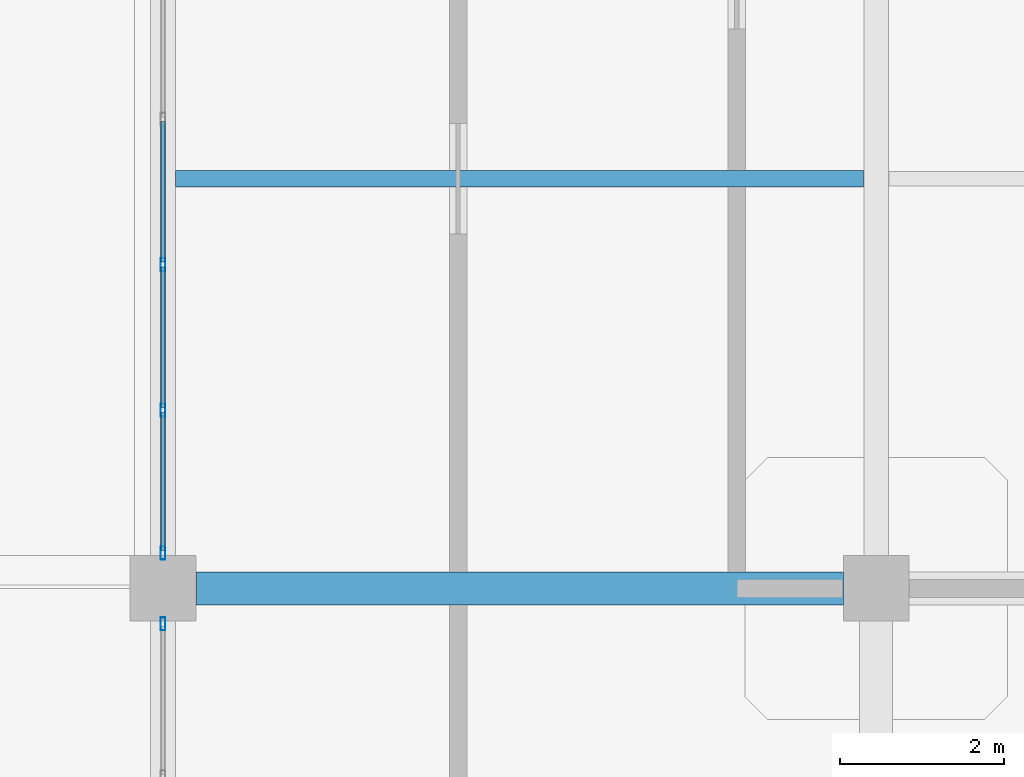
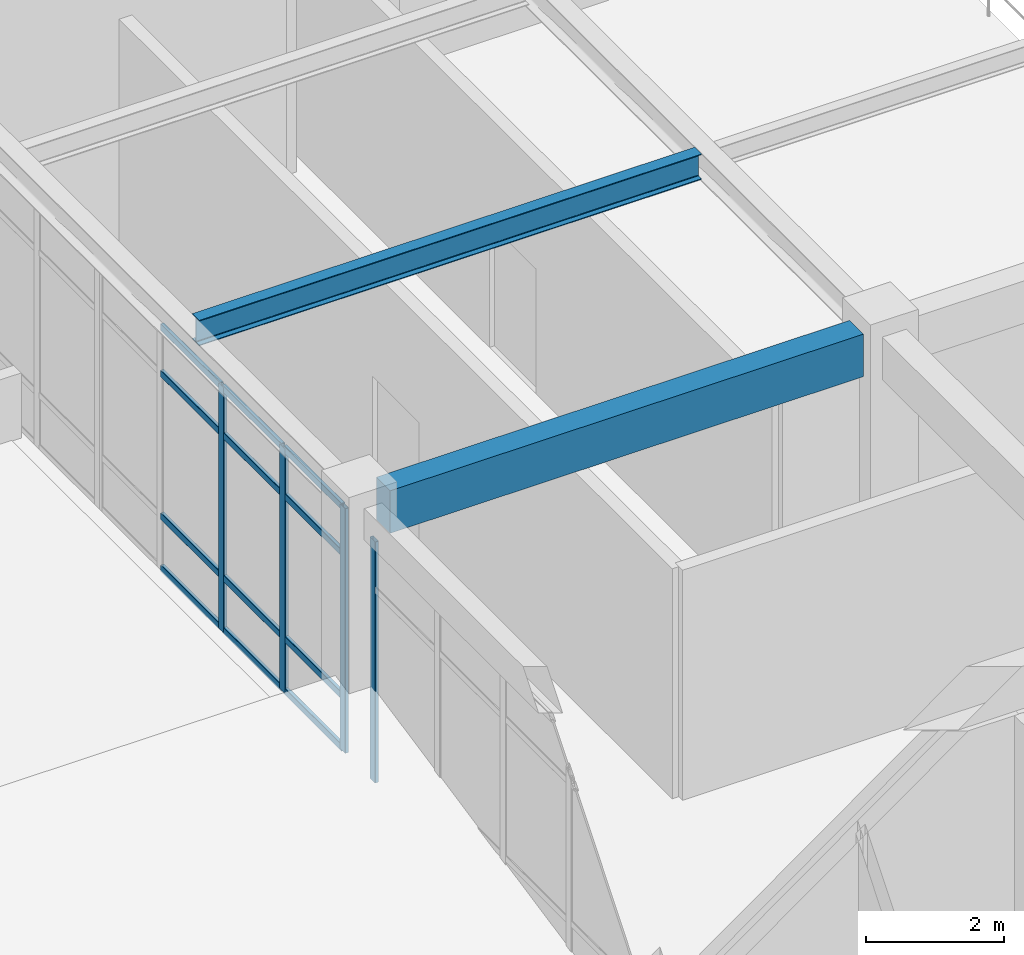
# One storey, part 23 of 124: 16 members, 2 beams, 2 elements without a shape of their own.
"""IFC4 building model written with IfcOpenShell, lengths in metres."""

from ifc_helpers import new_model, si_unit, derived_unit, direction, frame, origin, origin_2d, place, context, subcontext, project, spatial, rectangle, hollow_rectangle, i_section, extrude, material, layer, layer_set, material_profile, profile_set, type_object, element, aggregate, save


model = new_model("IFC4")

# Units and contexts
model_context = context("Model", 3, precision=1e-05, world=origin(), true_north=direction((0.0, 1.0)))
body_context = subcontext(model_context, "Body", "Model", "MODEL_VIEW")
ifc_project = project(units=[si_unit("LENGTHUNIT", "METRE"), si_unit("AREAUNIT", "SQUARE_METRE"), si_unit("VOLUMEUNIT", "CUBIC_METRE"), si_unit("PLANEANGLEUNIT", "RADIAN"), si_unit("MASSUNIT", "GRAM", prefix="KILO"), derived_unit("THERMALTRANSMITTANCEUNIT", [(si_unit("MASSUNIT", "GRAM", prefix="KILO"), 1), (si_unit("TIMEUNIT", "SECOND"), -3), (si_unit("THERMODYNAMICTEMPERATUREUNIT", "KELVIN"), -1)])], contexts=[model_context])

# Site, building, storey
site_placement = place(None, origin())
site = spatial("IfcSite", under=ifc_project, at=site_placement, CompositionType="ELEMENT")
building_placement = place(site_placement, origin())
building = spatial("IfcBuilding", under=site, at=building_placement, Name="Qinzheling Arcade Emporium", CompositionType="ELEMENT")
storey_placement = place(building_placement, frame((0.0, 0.0, 16.5)))
storey = spatial("IfcBuildingStorey", under=building, at=storey_placement, Name="L04", CompositionType="ELEMENT", Elevation=16.5)

# Curtain wall, member
ifc_material_1 = material(Name="Anodised aluminium and solar-control double glazing", Category="aluminium")
ifc_layer = layer(ifc_material_1, 0.159912109375, Name="Anodised aluminium and solar-control double glazing", Category="aluminium")
ifc_layer_set = layer_set([ifc_layer], Name="Anodised aluminium and solar-control double glazing")
curtain_wall_type = type_object("IfcCurtainWallType", Name="Atrium Clerestory Curtain Wall", PredefinedType="NOTDEFINED", material=ifc_layer_set)
curtain_wall_1_placement = place(storey_placement, origin())
curtain_wall_1 = element("IfcCurtainWall", 1, at=curtain_wall_1_placement, inside=storey, type_object=curtain_wall_type, Name="Curtain Wall CW-L04-240", PredefinedType="NOTDEFINED")
ifc_material_2 = material(Name="Anodised aluminium 6063-T6", Category="aluminium")
ifc_material_profile_1 = material_profile(ifc_material_2, hollow_rectangle(XDim=0.06005859375, YDim=0.159912109375, WallThickness=0.00390625, InnerFilletRadius=0.00390625, OuterFilletRadius=0.008056640625, at=origin_2d()), Name="RHS 160x60x4", Category="aluminium")
ifc_profile_set_1 = profile_set([ifc_material_profile_1], Name="Anodised aluminium 6063-T6")
member_type_1 = type_object("IfcMemberType", Name="Curtain Wall Mullion RHS160x60", PredefinedType="MULLION", material=ifc_profile_set_1)
member_1_placement = place(storey_placement, frame((34.800048828125, 49.968017578125, 0.0), z_axis=(0.0, 0.0, 1.0), x_axis=(-1.0, 0.0, 0.0)))
member_1 = element("IfcMember", 2, at=member_1_placement, type_object=member_type_1, Name="CW03 mullion 5", PredefinedType="MULLION", context=body_context, shape_type="SweptSolid", body=[
    extrude(hollow_rectangle(XDim=0.06005859375, YDim=0.159912109375, WallThickness=0.00390625, InnerFilletRadius=0.00390625, OuterFilletRadius=0.008056640625, at=origin_2d()), origin(), (0.0, 0.0, 1.0), 4.2548828125),
])
aggregate(curtain_wall_1, [member_1])

# Curtain wall, members
curtain_wall_2_placement = place(storey_placement, origin())
curtain_wall_2 = element("IfcCurtainWall", 3, at=curtain_wall_2_placement, inside=storey, type_object=curtain_wall_type, Name="Curtain Wall CW-L04-241", PredefinedType="NOTDEFINED")
member_2_placement = place(storey_placement, frame((34.800048828125, 50.83203125, 0.0), z_axis=(0.0, 0.0, 1.0), x_axis=(-1.0, 0.0, 0.0)))
member_2 = element("IfcMember", 4, at=member_2_placement, type_object=member_type_1, Name="CW03 mullion 1", PredefinedType="MULLION", context=body_context, shape_type="SweptSolid", body=[
    extrude(hollow_rectangle(XDim=0.06005859375, YDim=0.159912109375, WallThickness=0.00390625, InnerFilletRadius=0.00390625, OuterFilletRadius=0.008056640625, at=origin_2d()), origin(), (0.0, 0.0, 1.0), 4.31689453125),
])
member_3_placement = place(storey_placement, frame((34.800048828125, 52.575927734375, 0.0), z_axis=(0.0, 0.0, 1.0), x_axis=(-1.0, 0.0, 0.0)))
member_3 = element("IfcMember", 5, at=member_3_placement, type_object=member_type_1, Name="CW03 mullion 2", PredefinedType="MULLION", context=body_context, shape_type="SweptSolid", body=[
    extrude(hollow_rectangle(XDim=0.06005859375, YDim=0.159912109375, WallThickness=0.00390625, InnerFilletRadius=0.00390625, OuterFilletRadius=0.008056640625, at=origin_2d()), origin(), (0.0, 0.0, 1.0), 4.31689453125),
])
member_4_placement = place(storey_placement, frame((34.800048828125, 54.35009765625, 0.0), z_axis=(0.0, 0.0, 1.0), x_axis=(-1.0, 0.0, 0.0)))
member_4 = element("IfcMember", 6, at=member_4_placement, type_object=member_type_1, Name="CW03 mullion 3", PredefinedType="MULLION", context=body_context, shape_type="SweptSolid", body=[
    extrude(hollow_rectangle(XDim=0.06005859375, YDim=0.159912109375, WallThickness=0.00390625, InnerFilletRadius=0.00390625, OuterFilletRadius=0.008056640625, at=origin_2d()), origin(), (0.0, 0.0, 1.0), 4.31689453125),
])
ifc_material_profile_2 = material_profile(ifc_material_2, hollow_rectangle(XDim=0.06005859375, YDim=0.1201171875, WallThickness=0.00390625, InnerFilletRadius=0.00390625, OuterFilletRadius=0.008056640625, at=origin_2d()), Name="RHS 120x60x4", Category="aluminium")
ifc_profile_set_2 = profile_set([ifc_material_profile_2], Name="Anodised aluminium 6063-T6")
member_type_2 = type_object("IfcMemberType", Name="Curtain Wall Transom RHS120x60", PredefinedType="USERDEFINED", material=ifc_profile_set_2)
member_5_placement = place(storey_placement, frame((34.800048828125, 50.862060546875, 0.030029296875), z_axis=(0.0, 1.0, 0.0), x_axis=(-1.0, 0.0, 0.0)))
member_5 = element("IfcMember", 7, at=member_5_placement, type_object=member_type_2, Name="CW03 transom 1.1", ObjectType="TRANSOM", PredefinedType="USERDEFINED", context=body_context, shape_type="SweptSolid", body=[
    extrude(hollow_rectangle(XDim=0.06005859375, YDim=0.1201171875, WallThickness=0.00390625, InnerFilletRadius=0.00390625, OuterFilletRadius=0.008056640625, at=origin_2d()), origin(), (0.0, 0.0, 1.0), 1.683837890625),
])
member_6_placement = place(storey_placement, frame((34.800048828125, 50.862060546875, 0.949951171875), z_axis=(0.0, 1.0, 0.0), x_axis=(-1.0, 0.0, 0.0)))
member_6 = element("IfcMember", 8, at=member_6_placement, type_object=member_type_2, Name="CW03 transom 1.2", ObjectType="TRANSOM", PredefinedType="USERDEFINED", context=body_context, shape_type="SweptSolid", body=[
    extrude(hollow_rectangle(XDim=0.06005859375, YDim=0.1201171875, WallThickness=0.00390625, InnerFilletRadius=0.00390625, OuterFilletRadius=0.008056640625, at=origin_2d()), origin(), (0.0, 0.0, 1.0), 1.683837890625),
])
member_7_placement = place(storey_placement, frame((34.800048828125, 50.862060546875, 3.467041015625), z_axis=(0.0, 1.0, 0.0), x_axis=(-1.0, 0.0, 0.0)))
member_7 = element("IfcMember", 9, at=member_7_placement, type_object=member_type_2, Name="CW03 transom 1.3", ObjectType="TRANSOM", PredefinedType="USERDEFINED", context=body_context, shape_type="SweptSolid", body=[
    extrude(hollow_rectangle(XDim=0.06005859375, YDim=0.1201171875, WallThickness=0.00390625, InnerFilletRadius=0.00390625, OuterFilletRadius=0.008056640625, at=origin_2d()), origin(), (0.0, 0.0, 1.0), 1.683837890625),
])
member_8_placement = place(storey_placement, frame((34.800048828125, 50.862060546875, 4.287109375), z_axis=(0.0, 1.0, 0.0), x_axis=(-1.0, 0.0, 0.0)))
member_8 = element("IfcMember", 10, at=member_8_placement, type_object=member_type_2, Name="CW03 transom 1.4", ObjectType="TRANSOM", PredefinedType="USERDEFINED", context=body_context, shape_type="SweptSolid", body=[
    extrude(hollow_rectangle(XDim=0.06005859375, YDim=0.1201171875, WallThickness=0.00390625, InnerFilletRadius=0.00390625, OuterFilletRadius=0.008056640625, at=origin_2d()), origin(), (0.0, 0.0, 1.0), 1.683837890625),
])
member_9_placement = place(storey_placement, frame((34.800048828125, 52.60595703125, 0.030029296875), z_axis=(0.0, 1.0, 0.0), x_axis=(-1.0, 0.0, 0.0)))
member_9 = element("IfcMember", 11, at=member_9_placement, type_object=member_type_2, Name="CW03 transom 2.1", ObjectType="TRANSOM", PredefinedType="USERDEFINED", context=body_context, shape_type="SweptSolid", body=[
    extrude(hollow_rectangle(XDim=0.06005859375, YDim=0.1201171875, WallThickness=0.00390625, InnerFilletRadius=0.00390625, OuterFilletRadius=0.008056640625, at=origin_2d()), origin(), (0.0, 0.0, 1.0), 1.714111328125),
])
member_10_placement = place(storey_placement, frame((34.800048828125, 52.60595703125, 0.949951171875), z_axis=(0.0, 1.0, 0.0), x_axis=(-1.0, 0.0, 0.0)))
member_10 = element("IfcMember", 12, at=member_10_placement, type_object=member_type_2, Name="CW03 transom 2.2", ObjectType="TRANSOM", PredefinedType="USERDEFINED", context=body_context, shape_type="SweptSolid", body=[
    extrude(hollow_rectangle(XDim=0.06005859375, YDim=0.1201171875, WallThickness=0.00390625, InnerFilletRadius=0.00390625, OuterFilletRadius=0.008056640625, at=origin_2d()), origin(), (0.0, 0.0, 1.0), 1.714111328125),
])
member_11_placement = place(storey_placement, frame((34.800048828125, 52.60595703125, 3.467041015625), z_axis=(0.0, 1.0, 0.0), x_axis=(-1.0, 0.0, 0.0)))
member_11 = element("IfcMember", 13, at=member_11_placement, type_object=member_type_2, Name="CW03 transom 2.3", ObjectType="TRANSOM", PredefinedType="USERDEFINED", context=body_context, shape_type="SweptSolid", body=[
    extrude(hollow_rectangle(XDim=0.06005859375, YDim=0.1201171875, WallThickness=0.00390625, InnerFilletRadius=0.00390625, OuterFilletRadius=0.008056640625, at=origin_2d()), origin(), (0.0, 0.0, 1.0), 1.714111328125),
])
member_12_placement = place(storey_placement, frame((34.800048828125, 52.60595703125, 4.287109375), z_axis=(0.0, 1.0, 0.0), x_axis=(-1.0, 0.0, 0.0)))
member_12 = element("IfcMember", 14, at=member_12_placement, type_object=member_type_2, Name="CW03 transom 2.4", ObjectType="TRANSOM", PredefinedType="USERDEFINED", context=body_context, shape_type="SweptSolid", body=[
    extrude(hollow_rectangle(XDim=0.06005859375, YDim=0.1201171875, WallThickness=0.00390625, InnerFilletRadius=0.00390625, OuterFilletRadius=0.008056640625, at=origin_2d()), origin(), (0.0, 0.0, 1.0), 1.714111328125),
])
member_13_placement = place(storey_placement, frame((34.800048828125, 54.3798828125, 0.030029296875), z_axis=(0.0, 1.0, 0.0), x_axis=(-1.0, 0.0, 0.0)))
member_13 = element("IfcMember", 15, at=member_13_placement, type_object=member_type_2, Name="CW03 transom 3.1", ObjectType="TRANSOM", PredefinedType="USERDEFINED", context=body_context, shape_type="SweptSolid", body=[
    extrude(hollow_rectangle(XDim=0.06005859375, YDim=0.1201171875, WallThickness=0.00390625, InnerFilletRadius=0.00390625, OuterFilletRadius=0.008056640625, at=origin_2d()), origin(), (0.0, 0.0, 1.0), 1.714111328125),
])
member_14_placement = place(storey_placement, frame((34.800048828125, 54.3798828125, 0.949951171875), z_axis=(0.0, 1.0, 0.0), x_axis=(-1.0, 0.0, 0.0)))
member_14 = element("IfcMember", 16, at=member_14_placement, type_object=member_type_2, Name="CW03 transom 3.2", ObjectType="TRANSOM", PredefinedType="USERDEFINED", context=body_context, shape_type="SweptSolid", body=[
    extrude(hollow_rectangle(XDim=0.06005859375, YDim=0.1201171875, WallThickness=0.00390625, InnerFilletRadius=0.00390625, OuterFilletRadius=0.008056640625, at=origin_2d()), origin(), (0.0, 0.0, 1.0), 1.714111328125),
])
member_15_placement = place(storey_placement, frame((34.800048828125, 54.3798828125, 3.467041015625), z_axis=(0.0, 1.0, 0.0), x_axis=(-1.0, 0.0, 0.0)))
member_15 = element("IfcMember", 17, at=member_15_placement, type_object=member_type_2, Name="CW03 transom 3.3", ObjectType="TRANSOM", PredefinedType="USERDEFINED", context=body_context, shape_type="SweptSolid", body=[
    extrude(hollow_rectangle(XDim=0.06005859375, YDim=0.1201171875, WallThickness=0.00390625, InnerFilletRadius=0.00390625, OuterFilletRadius=0.008056640625, at=origin_2d()), origin(), (0.0, 0.0, 1.0), 1.714111328125),
])
member_16_placement = place(storey_placement, frame((34.800048828125, 54.3798828125, 4.287109375), z_axis=(0.0, 1.0, 0.0), x_axis=(-1.0, 0.0, 0.0)))
member_16 = element("IfcMember", 18, at=member_16_placement, type_object=member_type_2, Name="CW03 transom 3.4", ObjectType="TRANSOM", PredefinedType="USERDEFINED", context=body_context, shape_type="SweptSolid", body=[
    extrude(hollow_rectangle(XDim=0.06005859375, YDim=0.1201171875, WallThickness=0.00390625, InnerFilletRadius=0.00390625, OuterFilletRadius=0.008056640625, at=origin_2d()), origin(), (0.0, 0.0, 1.0), 1.714111328125),
])
aggregate(curtain_wall_2, [member_2, member_3, member_4, member_5, member_6, member_7, member_8, member_9, member_10, member_11, member_12, member_13, member_14, member_15, member_16])

# Beams
ifc_material_3 = material(Name="Concrete C40", Category="concrete")
ifc_material_profile_3 = material_profile(ifc_material_3, rectangle(XDim=0.39990234375, YDim=0.75, at=origin_2d()), Name="RC 400x750", Category="concrete")
ifc_profile_set_3 = profile_set([ifc_material_profile_3], Name="Concrete C40")
beam_type_1 = type_object("IfcBeamType", Name="RC Interior Tie Beam 400x750 C40", PredefinedType="BEAM", material=ifc_profile_set_3)
beam_1_placement = place(storey_placement, frame((35.199951171875, 50.39990234375, 4.445068359375), z_axis=(1.0, 0.0, 0.0), x_axis=(0.0, 1.0, 0.0)))
element("IfcBeam", 19, at=beam_1_placement, inside=storey, type_object=beam_type_1, Name="Beam BM-L04-X-G-5", PredefinedType="BEAM", context=body_context, shape_type="SweptSolid", body=[
    extrude(rectangle(XDim=0.39990234375, YDim=0.75, at=origin_2d()), origin(), (0.0, 0.0, 1.0), 7.900146484375),
])
ifc_material_4 = material(Name="Structural steel Q355B", Category="steel")
ifc_material_profile_4 = material_profile(ifc_material_4, i_section(OverallWidth=0.199951171875, OverallDepth=0.449951171875, WebThickness=0.009033203125, FlangeThickness=0.013916015625, FilletRadius=0.01611328125, at=origin_2d()), Name="HN 450x200x9x14", Category="steel")
ifc_profile_set_4 = profile_set([ifc_material_profile_4], Name="Structural steel Q355B")
beam_type_2 = type_object("IfcBeamType", Name="Secondary Floor Joist HN450 Q355B", PredefinedType="JOIST", material=ifc_profile_set_4)
beam_2_placement = place(storey_placement, frame((34.955078125, 55.39990234375, 4.594970703125), z_axis=(1.0, 0.0, 0.0), x_axis=(0.0, 1.0, 0.0)))
element("IfcBeam", 20, at=beam_2_placement, inside=storey, type_object=beam_type_2, Name="Secondary Joist JST-L04-5-1", PredefinedType="JOIST", context=body_context, shape_type="SweptSolid", body=[
    extrude(i_section(OverallWidth=0.199951171875, OverallDepth=0.449951171875, WebThickness=0.009033203125, FlangeThickness=0.013916015625, FilletRadius=0.01611328125, at=origin_2d()), origin(), (0.0, 0.0, 1.0), 8.389892578125),
])

save(model, "model.ifc")
